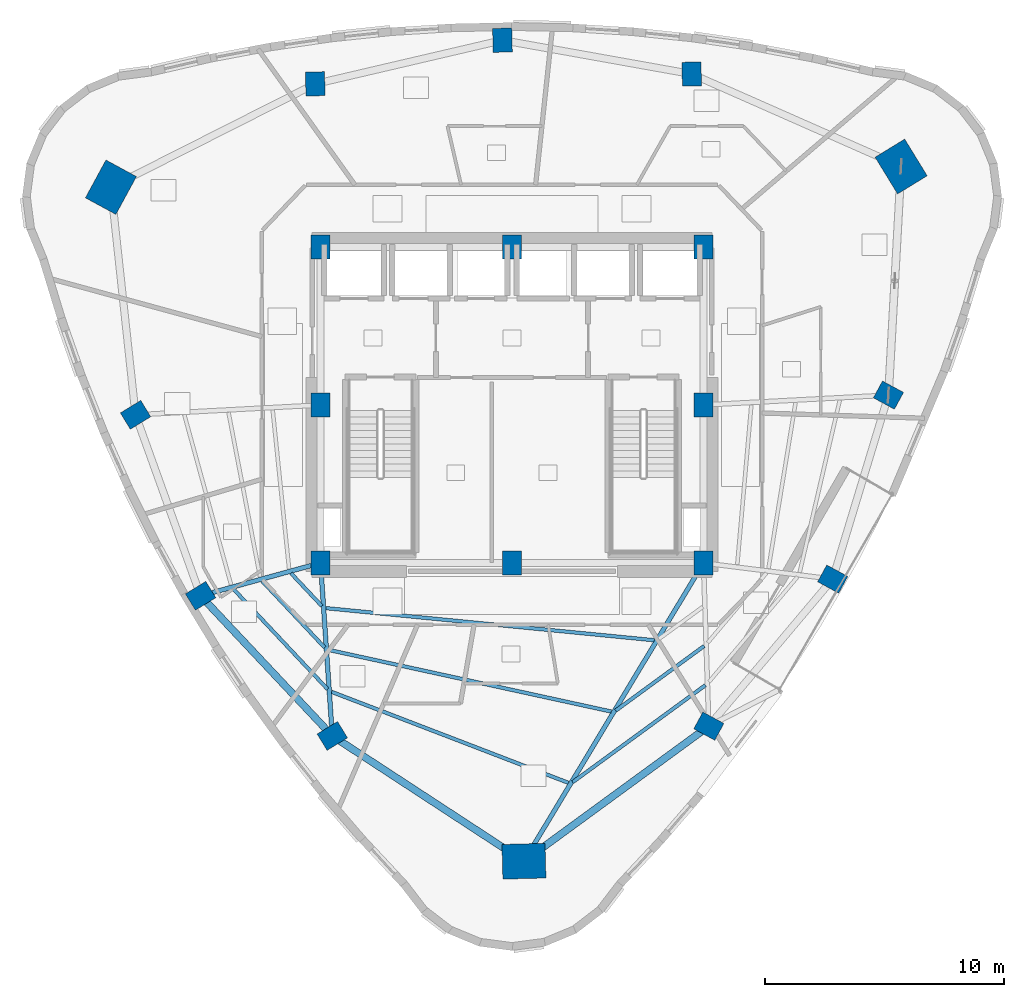
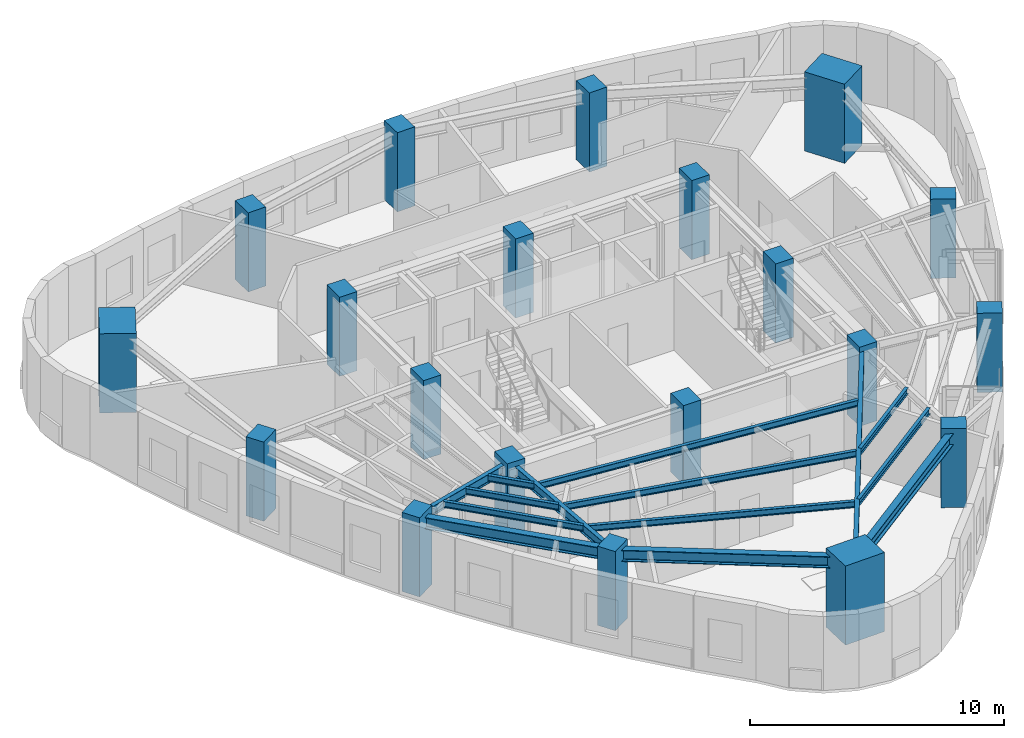
# One storey, part 1 of 12: 20 columns, 14 beams.
"""IFC4 building model written with IfcOpenShell, lengths in metres."""

from ifc_helpers import new_model, si_unit, direction, frame, origin, origin_2d, place, context, subcontext, project, spatial, rectangle, i_section, extrude, material, material_profile, profile_set, type_object, element, save


model = new_model("IFC4")

# Units and contexts
model_context = context("Model", 3, precision=1e-05, world=origin(), true_north=direction((0.0, 1.0)))
body_context = subcontext(model_context, "Body", "Model", "MODEL_VIEW")
ifc_project = project(units=[si_unit("LENGTHUNIT", "METRE"), si_unit("AREAUNIT", "SQUARE_METRE"), si_unit("VOLUMEUNIT", "CUBIC_METRE"), si_unit("PLANEANGLEUNIT", "RADIAN"), si_unit("MASSUNIT", "GRAM", prefix="KILO")], contexts=[model_context])

# Site, building, storey
site_placement = place(None, origin())
site = spatial("IfcSite", under=ifc_project, at=site_placement, CompositionType="ELEMENT")
building_placement = place(site_placement, origin())
building = spatial("IfcBuilding", under=site, at=building_placement, Name="Ndelora Gate Hotel", CompositionType="ELEMENT")
storey_placement = place(building_placement, frame((0.0, 0.0, 213.14990234375)))
storey = spatial("IfcBuildingStorey", under=building, at=storey_placement, Name="L53", CompositionType="ELEMENT", Elevation=213.14990234375)

# Columns
ifc_material_1 = material(Name="Concrete C50/60", Category="concrete")
ifc_material_profile_1 = material_profile(ifc_material_1, rectangle(XDim=0.800048828125, YDim=1.0, at=origin_2d()), Name="RC 1000x800")
ifc_profile_set_1 = profile_set([ifc_material_profile_1], Name="Concrete C50/60")
column_type_1 = type_object("IfcColumnType", Name="COL-CC-HI", PredefinedType="COLUMN", material=ifc_profile_set_1)
for number, where, z_axis, x_axis, name in (
    (1, (-8.0, -6.60009765625, 0.0), (0.0, 0.0, 1.0), (1.0, 0.0, 0.0), "L53 Core Column CC1"),
    (2, (0.0, -6.60009765625, 0.0), (0.0, 0.0, 1.0), (1.0, 0.0, 0.0), "L53 Core Column CC2"),
    (3, (8.0, -6.60009765625, 0.0), (0.0, 0.0, 1.0), (1.0, 0.0, 0.0), "L53 Core Column CC3"),
    (4, (8.0, 0.0, 0.0), (0.0, 0.0, 1.0), (1.0, 0.0, 0.0), "L53 Core Column CC4"),
    (5, (8.0, 6.60009765625, 0.0), (0.0, 0.0, 1.0), (1.0, 0.0, 0.0), "L53 Core Column CC5"),
    (6, (0.0, 6.60009765625, 0.0), (0.0, 0.0, 1.0), (1.0, 0.0, 0.0), "L53 Core Column CC6"),
    (7, (-8.0, 6.60009765625, 0.0), (0.0, 0.0, 1.0), (1.0, 0.0, 0.0), "L53 Core Column CC7"),
    (8, (-8.0, 0.0, 0.0), (0.0, 0.0, 1.0), (1.0, 0.0, 0.0), "L53 Core Column CC8"),
):
    element("IfcColumn", number, at=place(storey_placement, frame(where, z_axis=z_axis, x_axis=x_axis)), inside=storey, type_object=column_type_1, Name=name, PredefinedType="COLUMN", context=body_context, shape_type="SweptSolid", body=[
        extrude(rectangle(XDim=0.800048828125, YDim=1.0, at=origin_2d()), origin(), (0.0, 0.0, 1.0), 3.800048828125),
    ])
ifc_material_profile_2 = material_profile(ifc_material_1, rectangle(XDim=1.449951171875, YDim=1.800048828125, at=origin_2d()), Name="RC 1800x1450")
ifc_profile_set_2 = profile_set([ifc_material_profile_2], Name="Concrete C50/60")
column_type_2 = type_object("IfcColumnType", Name="COL-MC-Z3", PredefinedType="COLUMN", material=ifc_profile_set_2)
for number, where, z_axis, x_axis, name in (
    (9, (-16.759521484375, 9.099609375, 0.0), (0.0, 0.0, 1.0), (-0.878817112662, 0.47715876026, 0.0), "L53 Corner Mega-Column R1"),
    (10, (0.499267578125, -19.064208984375, 0.0), (0.0, 0.0, 1.0), (-0.026176948308, 0.999657324976, 0.0), "L53 Corner Mega-Column R5"),
    (11, (16.26025390625, 9.96435546875, 0.0), (0.0, 0.0, 1.0), (0.852640164354, 0.522498564716, 0.0), "L53 Corner Mega-Column R9"),
):
    element("IfcColumn", number, at=place(storey_placement, frame(where, z_axis=z_axis, x_axis=x_axis)), inside=storey, type_object=column_type_2, Name=name, PredefinedType="COLUMN", context=body_context, shape_type="SweptSolid", body=[
        extrude(rectangle(XDim=1.449951171875, YDim=1.800048828125, at=origin_2d()), origin(), (0.0, 0.0, 1.0), 3.800048828125),
    ])
ifc_material_profile_3 = material_profile(ifc_material_1, rectangle(XDim=0.800048828125, YDim=1.0, at=origin_2d()), Name="RC 1000x800")
ifc_profile_set_3 = profile_set([ifc_material_profile_3], Name="Concrete C50/60")
column_type_3 = type_object("IfcColumnType", Name="COL-PT-Z3", PredefinedType="COLUMN", material=ifc_profile_set_3)
for number, where, z_axis, x_axis, name in (
    (12, (-15.72998046875, -0.411865234375, 0.0), (0.0, 0.0, 1.0), (-0.522498564716, 0.852640164354, 0.0), "L53 Perimeter Tube Column R2"),
    (13, (-13.011962890625, -7.973876953125, 0.0), (0.0, 0.0, 1.0), (-0.522498564716, 0.852640164354, 0.0), "L53 Perimeter Tube Column R3"),
    (14, (-7.50830078125, -13.828369140625, 0.0), (0.0, 0.0, 1.0), (-0.522498564716, 0.852640164354, 0.0), "L53 Perimeter Tube Column R4"),
    (15, (8.223876953125, -13.419921875, 0.0), (0.0, 0.0, 1.0), (0.47715876026, 0.878817112662, 0.0), "L53 Perimeter Tube Column R6"),
    (16, (13.400390625, -7.275634765625, 0.0), (0.0, 0.0, 1.0), (0.47715876026, 0.878817112662, 0.0), "L53 Perimeter Tube Column R7"),
    (17, (15.72998046875, 0.411865234375, 0.0), (0.0, 0.0, 1.0), (0.47715876026, 0.878817112662, 0.0), "L53 Perimeter Tube Column R8"),
    (18, (7.50830078125, 13.828369140625, 0.0), (0.0, 0.0, 1.0), (0.999657324976, 0.026176948308, 0.0), "L53 Perimeter Tube Column R10"),
    (19, (-0.399169921875, 15.242919921875, 0.0), (0.0, 0.0, 1.0), (0.999657324976, 0.026176948308, 0.0), "L53 Perimeter Tube Column R11"),
    (20, (-8.2216796875, 13.41650390625, 0.0), (0.0, 0.0, 1.0), (0.999657324976, 0.026176948308, 0.0), "L53 Perimeter Tube Column R12"),
):
    element("IfcColumn", number, at=place(storey_placement, frame(where, z_axis=z_axis, x_axis=x_axis)), inside=storey, type_object=column_type_3, Name=name, PredefinedType="COLUMN", context=body_context, shape_type="SweptSolid", body=[
        extrude(rectangle(XDim=0.800048828125, YDim=1.0, at=origin_2d()), origin(), (0.0, 0.0, 1.0), 3.800048828125),
    ])

# Beams
ifc_material_2 = material(Name="Steel S355", Category="steel")
ifc_material_profile_4 = material_profile(ifc_material_2, i_section(OverallWidth=0.14990234375, OverallDepth=0.300048828125, WebThickness=0.007080078125, FlangeThickness=0.0107421875, FilletRadius=0.014892578125, at=origin_2d()), Name="IPE 300")
ifc_profile_set_4 = profile_set([ifc_material_profile_4], Name="Steel S355")
beam_type_1 = type_object("IfcBeamType", Name="BM-JST-300", PredefinedType="JOIST", material=ifc_profile_set_4)
beam_1_placement = place(storey_placement, frame((-9.231201171875, -7.03369140625, 3.400146484375), z_axis=(0.684943115963, -0.728596546722, 0.0), x_axis=(0.728596546722, 0.684943115963, 0.0)))
element("IfcBeam", 21, at=beam_1_placement, inside=storey, type_object=beam_type_1, Name="L53 Secondary Composite Floor Joist IN-3", PredefinedType="JOIST", context=body_context, shape_type="SweptSolid", body=[
    extrude(i_section(OverallWidth=0.14990234375, OverallDepth=0.300048828125, WebThickness=0.007080078125, FlangeThickness=0.0107421875, FilletRadius=0.014892578125, at=origin_2d()), origin(), (0.0, 0.0, 1.0), 1.879150390625),
])
beam_2_placement = place(storey_placement, frame((-10.43408203125, -7.36328125, 3.400146484375), z_axis=(0.684938600536, -0.728600791584, 0.0), x_axis=(0.728600791584, 0.684938600536, 0.0)))
element("IfcBeam", 22, at=beam_2_placement, inside=storey, type_object=beam_type_1, Name="L53 Secondary Composite Floor Joist MID-3", PredefinedType="JOIST", context=body_context, shape_type="SweptSolid", body=[
    extrude(i_section(OverallWidth=0.14990234375, OverallDepth=0.300048828125, WebThickness=0.007080078125, FlangeThickness=0.0107421875, FilletRadius=0.014892578125, at=origin_2d()), origin(), (0.0, 0.0, 1.0), 3.807861328125),
])
beam_3_placement = place(storey_placement, frame((-11.636962890625, -7.693115234375, 3.400146484375), z_axis=(0.68493576734, -0.728603454986, 0.0), x_axis=(0.728603454986, 0.68493576734, 0.0)))
element("IfcBeam", 23, at=beam_3_placement, inside=storey, type_object=beam_type_1, Name="L53 Secondary Composite Floor Joist OUT-3", PredefinedType="JOIST", context=body_context, shape_type="SweptSolid", body=[
    extrude(i_section(OverallWidth=0.14990234375, OverallDepth=0.300048828125, WebThickness=0.007080078125, FlangeThickness=0.0107421875, FilletRadius=0.014892578125, at=origin_2d()), origin(), (0.0, 0.0, 1.0), 5.736328125),
])
beam_4_placement = place(storey_placement, frame((-7.767578125, -8.489501953125, 3.400146484375), z_axis=(0.995253727902, -0.097314012848, 0.0), x_axis=(0.097314012848, 0.995253727902, 0.0)))
element("IfcBeam", 24, at=beam_4_placement, inside=storey, type_object=beam_type_1, Name="L53 Secondary Composite Floor Joist IN-4", PredefinedType="JOIST", context=body_context, shape_type="SweptSolid", body=[
    extrude(i_section(OverallWidth=0.14990234375, OverallDepth=0.300048828125, WebThickness=0.007080078125, FlangeThickness=0.0107421875, FilletRadius=0.014892578125, at=origin_2d()), origin(), (0.0, 0.0, 1.0), 13.7783203125),
])
beam_5_placement = place(storey_placement, frame((-7.651611328125, -10.236572265625, 3.400146484375), z_axis=(0.977032906758, -0.213088477191, 0.0), x_axis=(0.213088477191, 0.977032906758, 0.0)))
element("IfcBeam", 25, at=beam_5_placement, inside=storey, type_object=beam_type_1, Name="L53 Secondary Composite Floor Joist MID-4", PredefinedType="JOIST", context=body_context, shape_type="SweptSolid", body=[
    extrude(i_section(OverallWidth=0.14990234375, OverallDepth=0.300048828125, WebThickness=0.007080078125, FlangeThickness=0.0107421875, FilletRadius=0.014892578125, at=origin_2d()), origin(), (0.0, 0.0, 1.0), 12.075927734375),
])
beam_6_placement = place(storey_placement, frame((-7.5380859375, -11.98681640625, 3.400146484375), z_axis=(0.933489266504, -0.358605339227, 0.0), x_axis=(0.358605339227, 0.933489266504, 0.0)))
element("IfcBeam", 26, at=beam_6_placement, inside=storey, type_object=beam_type_1, Name="L53 Secondary Composite Floor Joist OUT-4", PredefinedType="JOIST", context=body_context, shape_type="SweptSolid", body=[
    extrude(i_section(OverallWidth=0.14990234375, OverallDepth=0.300048828125, WebThickness=0.007080078125, FlangeThickness=0.0107421875, FilletRadius=0.014892578125, at=origin_2d()), origin(), (0.0, 0.0, 1.0), 10.593994140625),
])
beam_7_placement = place(storey_placement, frame((4.33447265625, -12.77001953125, 3.400146484375), z_axis=(0.807439047151, 0.589951002318, 0.0), x_axis=(-0.589951002318, 0.807439047151, 0.0)))
element("IfcBeam", 27, at=beam_7_placement, inside=storey, type_object=beam_type_1, Name="L53 Secondary Composite Floor Joist MID-5", PredefinedType="JOIST", context=body_context, shape_type="SweptSolid", body=[
    extrude(i_section(OverallWidth=0.14990234375, OverallDepth=0.300048828125, WebThickness=0.007080078125, FlangeThickness=0.0107421875, FilletRadius=0.014892578125, at=origin_2d()), origin(), (0.0, 0.0, 1.0), 4.5732421875),
])
beam_8_placement = place(storey_placement, frame((2.5341796875, -15.761474609375, 3.400146484375), z_axis=(0.807430841486, 0.589962232874, 0.0), x_axis=(-0.589962232874, 0.807430841486, 0.0)))
element("IfcBeam", 28, at=beam_8_placement, inside=storey, type_object=beam_type_1, Name="L53 Secondary Composite Floor Joist OUT-5", PredefinedType="JOIST", context=body_context, shape_type="SweptSolid", body=[
    extrude(i_section(OverallWidth=0.14990234375, OverallDepth=0.300048828125, WebThickness=0.007080078125, FlangeThickness=0.0107421875, FilletRadius=0.014892578125, at=origin_2d()), origin(), (0.0, 0.0, 1.0), 6.869384765625),
])
ifc_material_profile_5 = material_profile(ifc_material_2, i_section(OverallWidth=0.18994140625, OverallDepth=0.449951171875, WebThickness=0.009521484375, FlangeThickness=0.0146484375, FilletRadius=0.02099609375, at=origin_2d()), Name="IPE 450")
ifc_profile_set_5 = profile_set([ifc_material_profile_5], Name="Steel S355")
beam_type_2 = type_object("IfcBeamType", Name="BM-RAD-450", PredefinedType="BEAM", material=ifc_profile_set_5)
beam_9_placement = place(storey_placement, frame((-8.0, -6.60009765625, 3.3251953125), z_axis=(-0.96442695542, -0.264349480157, 0.0), x_axis=(0.264349480157, -0.96442695542, 0.0)))
element("IfcBeam", 29, at=beam_9_placement, inside=storey, type_object=beam_type_2, Name="L53 Radial Floor Girder 3", PredefinedType="BEAM", context=body_context, shape_type="SweptSolid", body=[
    extrude(i_section(OverallWidth=0.18994140625, OverallDepth=0.449951171875, WebThickness=0.009521484375, FlangeThickness=0.0146484375, FilletRadius=0.02099609375, at=origin_2d()), origin(), (0.0, 0.0, 1.0), 5.19677734375),
])
beam_10_placement = place(storey_placement, frame((-8.0, -6.60009765625, 3.3251953125), z_axis=(0.067867612113, -0.997694335569, 0.0), x_axis=(0.997694335569, 0.067867612113, 0.0)))
element("IfcBeam", 30, at=beam_10_placement, inside=storey, type_object=beam_type_2, Name="L53 Radial Floor Girder 4", PredefinedType="BEAM", context=body_context, shape_type="SweptSolid", body=[
    extrude(i_section(OverallWidth=0.18994140625, OverallDepth=0.449951171875, WebThickness=0.009521484375, FlangeThickness=0.0146484375, FilletRadius=0.02099609375, at=origin_2d()), origin(), (0.0, 0.0, 1.0), 7.244873046875),
])
beam_11_placement = place(storey_placement, frame((8.0, -6.60009765625, 3.3251953125), z_axis=(-0.515620753203, -0.856816922607, 0.0), x_axis=(0.856816922607, -0.515620753203, 0.0)))
element("IfcBeam", 31, at=beam_11_placement, inside=storey, type_object=beam_type_2, Name="L53 Radial Floor Girder 5", PredefinedType="BEAM", context=body_context, shape_type="SweptSolid", body=[
    extrude(i_section(OverallWidth=0.18994140625, OverallDepth=0.449951171875, WebThickness=0.009521484375, FlangeThickness=0.0146484375, FilletRadius=0.02099609375, at=origin_2d()), origin(), (0.0, 0.0, 1.0), 14.546875),
])
ifc_material_profile_6 = material_profile(ifc_material_2, i_section(OverallWidth=0.300048828125, OverallDepth=0.550048828125, WebThickness=0.014892578125, FlangeThickness=0.029052734375, FilletRadius=0.027099609375, at=origin_2d()), Name="HEB 550")
ifc_profile_set_6 = profile_set([ifc_material_profile_6], Name="Steel S355")
beam_type_3 = type_object("IfcBeamType", Name="BM-RING-550", PredefinedType="SPANDREL", material=ifc_profile_set_6)
beam_12_placement = place(storey_placement, frame((-13.011962890625, -7.973876953125, 3.275146484375), z_axis=(0.684939043371, -0.728600375285, 0.0), x_axis=(0.728600375285, 0.684939043371, 0.0)))
element("IfcBeam", 32, at=beam_12_placement, inside=storey, type_object=beam_type_3, Name="L53 Perimeter Spandrel Girder 3", PredefinedType="SPANDREL", context=body_context, shape_type="SweptSolid", body=[
    extrude(i_section(OverallWidth=0.300048828125, OverallDepth=0.550048828125, WebThickness=0.014892578125, FlangeThickness=0.029052734375, FilletRadius=0.027099609375, at=origin_2d()), origin(), (0.0, 0.0, 1.0), 8.03515625),
])
beam_13_placement = place(storey_placement, frame((-7.50830078125, -13.828369140625, 3.275146484375), z_axis=(0.836963769915, -0.547258300851, 0.0), x_axis=(0.547258300851, 0.836963769915, 0.0)))
element("IfcBeam", 33, at=beam_13_placement, inside=storey, type_object=beam_type_3, Name="L53 Perimeter Spandrel Girder 4", PredefinedType="SPANDREL", context=body_context, shape_type="SweptSolid", body=[
    extrude(i_section(OverallWidth=0.300048828125, OverallDepth=0.550048828125, WebThickness=0.014892578125, FlangeThickness=0.029052734375, FilletRadius=0.027099609375, at=origin_2d()), origin(), (0.0, 0.0, 1.0), 9.5673828125),
])
beam_14_placement = place(storey_placement, frame((0.499267578125, -19.064208984375, 3.275146484375), z_axis=(0.807421980226, 0.58997436033, 0.0), x_axis=(-0.58997436033, 0.807421980226, 0.0)))
element("IfcBeam", 34, at=beam_14_placement, inside=storey, type_object=beam_type_3, Name="L53 Perimeter Spandrel Girder 5", PredefinedType="SPANDREL", context=body_context, shape_type="SweptSolid", body=[
    extrude(i_section(OverallWidth=0.300048828125, OverallDepth=0.550048828125, WebThickness=0.014892578125, FlangeThickness=0.029052734375, FilletRadius=0.027099609375, at=origin_2d()), origin(), (0.0, 0.0, 1.0), 9.56689453125),
])

save(model, "model.ifc")
